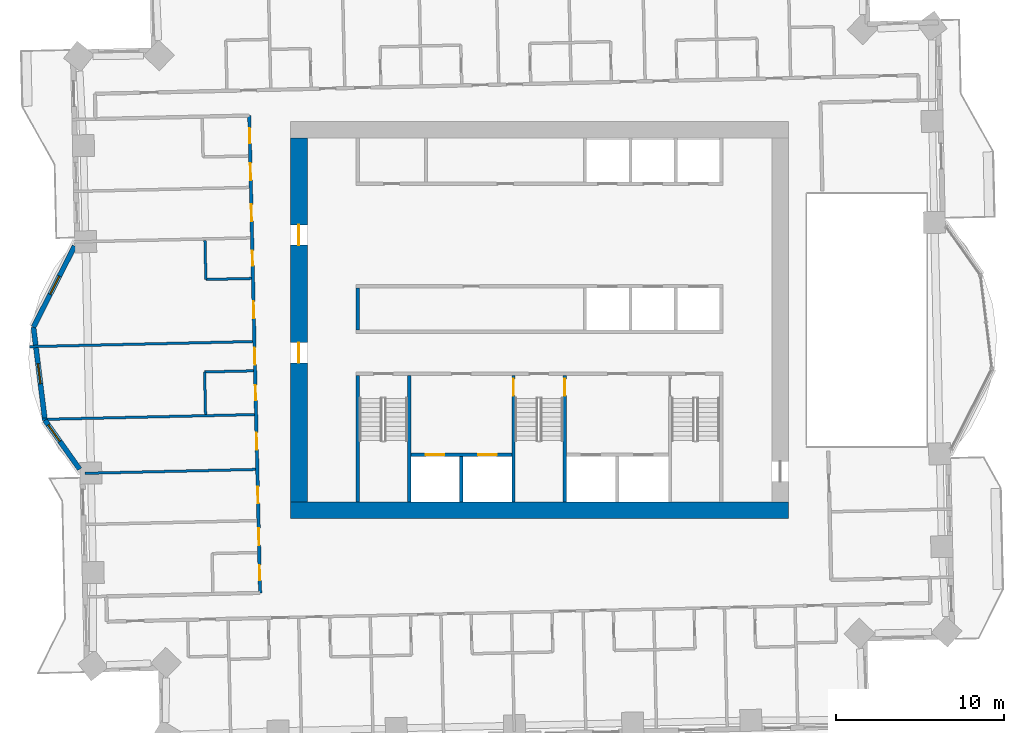
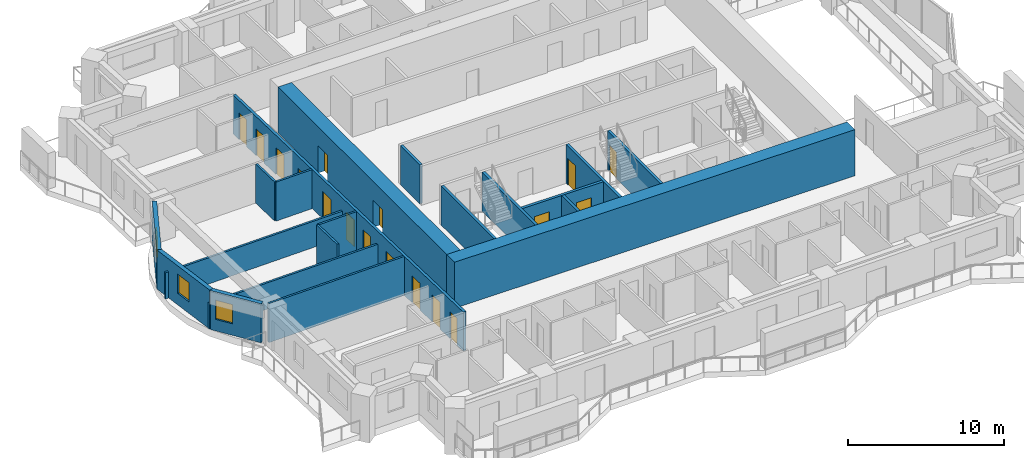
# One storey, part 7 of 16: 20 walls, 17 doors, 3 windows, 20 openings.
"""IFC4 building model written with IfcOpenShell, lengths in metres."""

from ifc_helpers import new_model, si_unit, direction, frame, frame_2d, origin, place, context, subcontext, project, spatial, rectangle, extrude, material, layer, layer_set, type_object, element, fill, save


model = new_model("IFC4")

# Units and contexts
model_context = context("Model", 3, precision=1e-05, world=origin(), true_north=direction((0.0, 1.0)))
body_context = subcontext(model_context, "Body", "Model", "MODEL_VIEW")
ifc_project = project(units=[si_unit("LENGTHUNIT", "METRE"), si_unit("AREAUNIT", "SQUARE_METRE"), si_unit("VOLUMEUNIT", "CUBIC_METRE"), si_unit("PLANEANGLEUNIT", "RADIAN"), si_unit("MASSUNIT", "GRAM", prefix="KILO")], contexts=[model_context])

# Site, building, storey
site_placement = place(None, origin())
site = spatial("IfcSite", under=ifc_project, at=site_placement, CompositionType="ELEMENT")
building_placement = place(site_placement, origin())
building = spatial("IfcBuilding", under=site, at=building_placement, Name="Mangrove Gate Tower", CompositionType="ELEMENT")
storey_placement = place(building_placement, frame((0.0, 0.0, 130.10009765625)))
storey = spatial("IfcBuildingStorey", under=building, at=storey_placement, Name="L32", CompositionType="ELEMENT", Elevation=130.10009765625)

# Wall
ifc_material_1 = material(Name="Concrete C32/40", Category="concrete")
ifc_layer_1 = layer(ifc_material_1, 0.199951171875)
ifc_layer_set_1 = layer_set([ifc_layer_1], Name="Core room wall 200 C32/40")
wall_type_1 = type_object("IfcWallType", Name="Core room wall 200 C32/40", PredefinedType="STANDARD", material=ifc_layer_set_1)
wall_1_placement = place(storey_placement, frame((-10.800048828125, -0.60009765625, 0.0), z_axis=(0.0, 0.0, 1.0), x_axis=(0.0, 1.0, 0.0)))
element("IfcWall", 1, at=wall_1_placement, inside=storey, type_object=wall_type_1, Name="WALL-L32-CORE-19", PredefinedType="STANDARD", context=body_context, shape_type="SweptSolid", body=[
    extrude(rectangle(XDim=2.5, YDim=0.199951171875, at=frame_2d((1.25, 0.0))), origin(), (0.0, 0.0, 1.0), 3.0498046875),
])

# Wall, openings, doors
ifc_material_2 = material(Name="Concrete C70/85", Category="concrete")
ifc_layer_2 = layer(ifc_material_2, 0.199951171875)
ifc_layer_set_2 = layer_set([ifc_layer_2], Name="Core shaft wall 200 C70/85")
wall_type_2 = type_object("IfcWallType", Name="Core shaft wall 200 C70/85", PredefinedType="SHEAR", material=ifc_layer_set_2)
wall_2_placement = place(storey_placement, frame((-7.64990234375, -8.0, 0.0), z_axis=(0.0, 0.0, 1.0), x_axis=(1.0, 0.0, 0.0)))
wall_2 = element("IfcWall", 2, at=wall_2_placement, inside=storey, type_object=wall_type_2, Name="WALL-L32-CORE-15", PredefinedType="SHEAR", context=body_context, shape_type="SweptSolid", body=[
    extrude(rectangle(XDim=6.0, YDim=0.199951171875, at=frame_2d((3.0, 0.0))), origin(), (0.0, 0.0, 1.0), 3.0498046875),
])
opening_1_placement = place(wall_2_placement, frame((0.89990234375, 0.0, 0.0)))
opening_1 = element("IfcOpeningElement", 3, at=opening_1_placement, cuts=wall_2, Name="Opening LD", PredefinedType="OPENING", context=body_context, shape_type="SweptSolid", body=[
    extrude(rectangle(XDim=1.10009765625, YDim=2.10009765625, at=frame_2d((0.550048828125, 1.050048828125))), frame((0.0, 0.10986328125, 0.0), z_axis=(0.0, -1.0, 0.0), x_axis=(1.0, 0.0, 0.0)), (0.0, 0.0, 1.0), 0.219970703125),
])
opening_2_placement = place(wall_2_placement, frame((4.0, 0.0, 0.0)))
opening_2 = element("IfcOpeningElement", 4, at=opening_2_placement, cuts=wall_2, Name="Opening LD", PredefinedType="OPENING", context=body_context, shape_type="SweptSolid", body=[
    extrude(rectangle(XDim=1.10009765625, YDim=2.10009765625, at=frame_2d((0.550048828125, 1.050048828125))), frame((0.0, 0.10986328125, 0.0), z_axis=(0.0, -1.0, 0.0), x_axis=(1.0, 0.0, 0.0)), (0.0, 0.0, 1.0), 0.219970703125),
])
ifc_material_3 = material(Name="Stainless steel 316", Category="steel")
door_type_1 = type_object("IfcDoorType", Name="Lift landing door 1100x2100", OperationType="SLIDING_TO_LEFT", PredefinedType="DOOR", material=ifc_material_3)
door_1_placement = place(opening_1_placement, origin())
door_1 = element("IfcDoor", 5, at=door_1_placement, inside=storey, type_object=door_type_1, Name="Landing door LD SVL1", OperationType="SLIDING_TO_LEFT", OverallHeight=2.10009765625, OverallWidth=1.10009765625, PredefinedType="DOOR", context=body_context, shape_type="SweptSolid", body=[
    extrude(rectangle(XDim=1.10009765625, YDim=2.10009765625, at=frame_2d((0.550048828125, 1.050048828125))), frame((0.0, 0.02490234375, 0.0), z_axis=(0.0, -1.0, 0.0), x_axis=(1.0, 0.0, 0.0)), (0.0, 0.0, 1.0), 0.050048828125),
])
fill(opening_1, door_1)
door_2_placement = place(opening_2_placement, origin())
door_2 = element("IfcDoor", 6, at=door_2_placement, inside=storey, type_object=door_type_1, Name="Landing door LD SVL2", OperationType="SLIDING_TO_LEFT", OverallHeight=2.10009765625, OverallWidth=1.10009765625, PredefinedType="DOOR", context=body_context, shape_type="SweptSolid", body=[
    extrude(rectangle(XDim=1.10009765625, YDim=2.10009765625, at=frame_2d((0.550048828125, 1.050048828125))), frame((0.0, 0.02490234375, 0.0), z_axis=(0.0, -1.0, 0.0), x_axis=(1.0, 0.0, 0.0)), (0.0, 0.0, 1.0), 0.050048828125),
])
fill(opening_2, door_2)

# Walls
wall_3_placement = place(storey_placement, frame((-4.64990234375, -10.800048828125, 0.0), z_axis=(0.0, 0.0, 1.0), x_axis=(0.0, 1.0, 0.0)))
element("IfcWall", 7, at=wall_3_placement, inside=storey, type_object=wall_type_2, Name="WALL-L32-CORE-16", PredefinedType="SHEAR", context=body_context, shape_type="SweptSolid", body=[
    extrude(rectangle(XDim=2.699951171875, YDim=0.199951171875, at=frame_2d((1.35009765625, 0.0))), origin(), (0.0, 0.0, 1.0), 3.0498046875),
])
ifc_material_4 = material(Name="Concrete C70/85", Category="concrete")
ifc_layer_3 = layer(ifc_material_4, 0.199951171875)
ifc_layer_set_3 = layer_set([ifc_layer_3], Name="Core stair wall 200 C70/85")
wall_type_3 = type_object("IfcWallType", Name="Core stair wall 200 C70/85", PredefinedType="SHEAR", material=ifc_layer_set_3)
for number, where, z_axis, x_axis, name in (
    (8, (-10.800048828125, -10.800048828125, 0.0), (0.0, 0.0, 1.0), (0.0, 1.0, 0.0), "WALL-L32-CORE-9"),
    (9, (-7.75, -10.800048828125, 0.0), (0.0, 0.0, 1.0), (0.0, 1.0, 0.0), "WALL-L32-CORE-10"),
):
    element("IfcWall", number, at=place(storey_placement, frame(where, z_axis=z_axis, x_axis=x_axis)), inside=storey, type_object=wall_type_3, Name=name, PredefinedType="SHEAR", context=body_context, shape_type="SweptSolid", body=[
        extrude(rectangle(XDim=7.5, YDim=0.199951171875, at=frame_2d((3.75, 0.0))), origin(), (0.0, 0.0, 1.0), 3.0498046875),
    ])

# Wall, opening, door
wall_4_placement = place(storey_placement, frame((-1.550048828125, -10.800048828125, 0.0), z_axis=(0.0, 0.0, 1.0), x_axis=(0.0, 1.0, 0.0)))
wall_4 = element("IfcWall", 10, at=wall_4_placement, inside=storey, type_object=wall_type_3, Name="WALL-L32-CORE-11", PredefinedType="SHEAR", context=body_context, shape_type="SweptSolid", body=[
    extrude(rectangle(XDim=7.5, YDim=0.199951171875, at=frame_2d((3.75, 0.0))), origin(), (0.0, 0.0, 1.0), 3.0498046875),
])
opening_3_placement = place(wall_4_placement, frame((6.300048828125, 0.0, 0.0)))
opening_3 = element("IfcOpeningElement", 11, at=opening_3_placement, cuts=wall_4, Name="Opening STD10", PredefinedType="OPENING", context=body_context, shape_type="SweptSolid", body=[
    extrude(rectangle(XDim=1.0, YDim=2.10009765625, at=frame_2d((0.5, 1.050048828125))), frame((0.0, 0.10986328125, 0.0), z_axis=(0.0, -1.0, 0.0), x_axis=(1.0, 0.0, 0.0)), (0.0, 0.0, 1.0), 0.219970703125),
])
ifc_material_5 = material(Name="Fire-rated steel door set", Category="steel")
door_type_2 = type_object("IfcDoorType", Name="Stair door FD60 1000x2100", OperationType="SINGLE_SWING_RIGHT", PredefinedType="DOOR", material=ifc_material_5)
door_3_placement = place(opening_3_placement, origin())
door_3 = element("IfcDoor", 12, at=door_3_placement, inside=storey, type_object=door_type_2, Name="Stair door Stair 2 from service lobby", OperationType="SINGLE_SWING_RIGHT", OverallHeight=2.10009765625, OverallWidth=1.0, PredefinedType="DOOR", context=body_context, shape_type="SweptSolid", body=[
    extrude(rectangle(XDim=1.0, YDim=2.10009765625, at=frame_2d((0.5, 1.050048828125))), frame((0.0, 0.02490234375, 0.0), z_axis=(0.0, -1.0, 0.0), x_axis=(1.0, 0.0, 0.0)), (0.0, 0.0, 1.0), 0.050048828125),
])
fill(opening_3, door_3)

wall_5_placement = place(storey_placement, frame((1.5, -10.800048828125, 0.0), z_axis=(0.0, 0.0, 1.0), x_axis=(0.0, 1.0, 0.0)))
wall_5 = element("IfcWall", 13, at=wall_5_placement, inside=storey, type_object=wall_type_3, Name="WALL-L32-CORE-12", PredefinedType="SHEAR", context=body_context, shape_type="SweptSolid", body=[
    extrude(rectangle(XDim=7.5, YDim=0.199951171875, at=frame_2d((3.75, 0.0))), origin(), (0.0, 0.0, 1.0), 3.0498046875),
])
opening_4_placement = place(wall_5_placement, frame((6.300048828125, 0.0, 0.0)))
opening_4 = element("IfcOpeningElement", 14, at=opening_4_placement, cuts=wall_5, Name="Opening STD10", PredefinedType="OPENING", context=body_context, shape_type="SweptSolid", body=[
    extrude(rectangle(XDim=1.0, YDim=2.10009765625, at=frame_2d((0.5, 1.050048828125))), frame((0.0, 0.10986328125, 0.0), z_axis=(0.0, -1.0, 0.0), x_axis=(1.0, 0.0, 0.0)), (0.0, 0.0, 1.0), 0.219970703125),
])
door_4_placement = place(opening_4_placement, origin())
door_4 = element("IfcDoor", 15, at=door_4_placement, inside=storey, type_object=door_type_2, Name="Stair door Stair 2 from fire-fighting lobby", OperationType="SINGLE_SWING_RIGHT", OverallHeight=2.10009765625, OverallWidth=1.0, PredefinedType="DOOR", context=body_context, shape_type="SweptSolid", body=[
    extrude(rectangle(XDim=1.0, YDim=2.10009765625, at=frame_2d((0.5, 1.050048828125))), frame((0.0, 0.02490234375, 0.0), z_axis=(0.0, -1.0, 0.0), x_axis=(1.0, 0.0, 0.0)), (0.0, 0.0, 1.0), 0.050048828125),
])
fill(opening_4, door_4)

# Wall
ifc_material_6 = material(Name="Concrete C70/85", Category="concrete")
ifc_layer_4 = layer(ifc_material_6, 1.0)
ifc_layer_set_4 = layer_set([ifc_layer_4], Name="Core wall 1000 C70/85")
wall_type_4 = type_object("IfcWallType", Name="Core wall 1000 C70/85", PredefinedType="SHEAR", material=ifc_layer_set_4)
wall_6_placement = place(storey_placement, frame((-14.800048828125, -11.300048828125, 0.0), z_axis=(0.0, 0.0, 1.0), x_axis=(1.0, 0.0, 0.0)))
element("IfcWall", 16, at=wall_6_placement, inside=storey, type_object=wall_type_4, Name="WALL-L32-CORE-1", PredefinedType="SHEAR", context=body_context, shape_type="SweptSolid", body=[
    extrude(rectangle(XDim=29.60009765625, YDim=1.0, at=frame_2d((14.800048828125, 0.0))), origin(), (0.0, 0.0, 1.0), 3.599853515625),
])

# Wall, openings, doors
wall_7_placement = place(storey_placement, frame((-14.300048828125, -10.800048828125, 0.0), z_axis=(0.0, 0.0, 1.0), x_axis=(0.0, 1.0, 0.0)))
wall_7 = element("IfcWall", 17, at=wall_7_placement, inside=storey, type_object=wall_type_4, Name="WALL-L32-CORE-3", PredefinedType="SHEAR", context=body_context, shape_type="SweptSolid", body=[
    extrude(rectangle(XDim=21.60009765625, YDim=1.0, at=frame_2d((10.800048828125, 0.0))), origin(), (0.0, 0.0, 1.0), 3.599853515625),
])
opening_5_placement = place(wall_7_placement, frame((8.25, 0.0, 0.0)))
opening_5 = element("IfcOpeningElement", 18, at=opening_5_placement, cuts=wall_7, Name="Opening CD", PredefinedType="OPENING", context=body_context, shape_type="SweptSolid", body=[
    extrude(rectangle(XDim=1.199951171875, YDim=2.10009765625, at=frame_2d((0.60009765625, 1.050048828125))), frame((0.0, 0.510009765625, 0.0), z_axis=(0.0, -1.0, 0.0), x_axis=(1.0, 0.0, 0.0)), (0.0, 0.0, 1.0), 1.02001953125),
])
opening_6_placement = place(wall_7_placement, frame((15.25, 0.0, 0.0)))
opening_6 = element("IfcOpeningElement", 19, at=opening_6_placement, cuts=wall_7, Name="Opening CD", PredefinedType="OPENING", context=body_context, shape_type="SweptSolid", body=[
    extrude(rectangle(XDim=1.199951171875, YDim=2.10009765625, at=frame_2d((0.60009765625, 1.050048828125))), frame((0.0, 0.510009765625, 0.0), z_axis=(0.0, -1.0, 0.0), x_axis=(1.0, 0.0, 0.0)), (0.0, 0.0, 1.0), 1.02001953125),
])
ifc_material_7 = material(Name="Fire-rated steel door set", Category="steel")
door_type_3 = type_object("IfcDoorType", Name="Core ring door FD60 1200x2100", OperationType="DOUBLE_DOOR_SINGLE_SWING", PredefinedType="DOOR", material=ifc_material_7)
door_5_placement = place(opening_5_placement, origin())
door_5 = element("IfcDoor", 20, at=door_5_placement, inside=storey, type_object=door_type_3, Name="Core ring door W1", OperationType="DOUBLE_DOOR_SINGLE_SWING", OverallHeight=2.10009765625, OverallWidth=1.199951171875, PredefinedType="DOOR", context=body_context, shape_type="SweptSolid", body=[
    extrude(rectangle(XDim=1.199951171875, YDim=2.10009765625, at=frame_2d((0.60009765625, 1.050048828125))), frame((0.0, 0.02490234375, 0.0), z_axis=(0.0, -1.0, 0.0), x_axis=(1.0, 0.0, 0.0)), (0.0, 0.0, 1.0), 0.050048828125),
])
fill(opening_5, door_5)
door_6_placement = place(opening_6_placement, origin())
door_6 = element("IfcDoor", 21, at=door_6_placement, inside=storey, type_object=door_type_3, Name="Core ring door W2", OperationType="DOUBLE_DOOR_SINGLE_SWING", OverallHeight=2.10009765625, OverallWidth=1.199951171875, PredefinedType="DOOR", context=body_context, shape_type="SweptSolid", body=[
    extrude(rectangle(XDim=1.199951171875, YDim=2.10009765625, at=frame_2d((0.60009765625, 1.050048828125))), frame((0.0, 0.02490234375, 0.0), z_axis=(0.0, -1.0, 0.0), x_axis=(1.0, 0.0, 0.0)), (0.0, 0.0, 1.0), 0.050048828125),
])
fill(opening_6, door_6)

ifc_material_8 = material(Name="Gypsum board on steel stud, EI 60", Category="steel")
ifc_layer_5 = layer(ifc_material_8, 0.199951171875)
ifc_layer_set_5 = layer_set([ifc_layer_5], Name="Corridor wall EI 60")
wall_type_5 = type_object("IfcWallType", Name="Corridor wall EI 60", PredefinedType="PARTITIONING", material=ifc_layer_set_5)
wall_8_placement = place(storey_placement, frame((-16.60302734375, -16.218017578125, 0.0), z_axis=(0.0, 0.0, 1.0), x_axis=(-0.022698146637, 0.999742363881, 0.0)))
wall_8 = element("IfcWall", 22, at=wall_8_placement, inside=storey, type_object=wall_type_5, Name="WALL-L32-033", PredefinedType="PARTITIONING", context=body_context, shape_type="SweptSolid", body=[
    extrude(rectangle(XDim=28.374267578125, YDim=0.199951171875, at=frame_2d((14.18701171875, 0.0))), origin(), (0.0, 0.0, 1.0), 3.0498046875),
])
opening_7_placement = place(wall_8_placement, frame((24.537109375, 0.0, 0.0)))
opening_7 = element("IfcOpeningElement", 23, at=opening_7_placement, cuts=wall_8, Name="Opening AD", PredefinedType="OPENING", context=body_context, shape_type="SweptSolid", body=[
    extrude(rectangle(XDim=1.0, YDim=2.10009765625, at=frame_2d((0.5, 1.050048828125))), frame((0.0, 0.10986328125, 0.0), z_axis=(0.0, -1.0, 0.0), x_axis=(1.0, 0.0, 0.0)), (0.0, 0.0, 1.0), 0.219970703125),
])
opening_8_placement = place(wall_8_placement, frame((26.72412109375, 0.0, 0.0)))
opening_8 = element("IfcOpeningElement", 24, at=opening_8_placement, cuts=wall_8, Name="Opening SD", PredefinedType="OPENING", context=body_context, shape_type="SweptSolid", body=[
    extrude(rectangle(XDim=0.89990234375, YDim=2.10009765625, at=frame_2d((0.449951171875, 1.050048828125))), frame((0.0, 0.10986328125, 0.0), z_axis=(0.0, -1.0, 0.0), x_axis=(1.0, 0.0, 0.0)), (0.0, 0.0, 1.0), 0.219970703125),
])
opening_9_placement = place(wall_8_placement, frame((22.09912109375, 0.0, 0.0)))
opening_9 = element("IfcOpeningElement", 25, at=opening_9_placement, cuts=wall_8, Name="Opening AD", PredefinedType="OPENING", context=body_context, shape_type="SweptSolid", body=[
    extrude(rectangle(XDim=1.0, YDim=2.10009765625, at=frame_2d((0.5, 1.050048828125))), frame((0.0, 0.10986328125, 0.0), z_axis=(0.0, -1.0, 0.0), x_axis=(1.0, 0.0, 0.0)), (0.0, 0.0, 1.0), 0.219970703125),
])
opening_10_placement = place(wall_8_placement, frame((16.323974609375, 0.0, 0.0)))
opening_10 = element("IfcOpeningElement", 26, at=opening_10_placement, cuts=wall_8, Name="Opening AD", PredefinedType="OPENING", context=body_context, shape_type="SweptSolid", body=[
    extrude(rectangle(XDim=1.0, YDim=2.10009765625, at=frame_2d((0.5, 1.050048828125))), frame((0.0, 0.10986328125, 0.0), z_axis=(0.0, -1.0, 0.0), x_axis=(1.0, 0.0, 0.0)), (0.0, 0.0, 1.0), 0.219970703125),
])
opening_11_placement = place(wall_8_placement, frame((19.448974609375, 0.0, 0.0)))
opening_11 = element("IfcOpeningElement", 27, at=opening_11_placement, cuts=wall_8, Name="Opening SD", PredefinedType="OPENING", context=body_context, shape_type="SweptSolid", body=[
    extrude(rectangle(XDim=0.89990234375, YDim=2.10009765625, at=frame_2d((0.449951171875, 1.050048828125))), frame((0.0, 0.10986328125, 0.0), z_axis=(0.0, -1.0, 0.0), x_axis=(1.0, 0.0, 0.0)), (0.0, 0.0, 1.0), 0.219970703125),
])
opening_12_placement = place(wall_8_placement, frame((13.573974609375, 0.0, 0.0)))
opening_12 = element("IfcOpeningElement", 28, at=opening_12_placement, cuts=wall_8, Name="Opening AD", PredefinedType="OPENING", context=body_context, shape_type="SweptSolid", body=[
    extrude(rectangle(XDim=1.0, YDim=2.10009765625, at=frame_2d((0.5, 1.050048828125))), frame((0.0, 0.10986328125, 0.0), z_axis=(0.0, -1.0, 0.0), x_axis=(1.0, 0.0, 0.0)), (0.0, 0.0, 1.0), 0.219970703125),
])
opening_13_placement = place(wall_8_placement, frame((11.448974609375, 0.0, 0.0)))
opening_13 = element("IfcOpeningElement", 29, at=opening_13_placement, cuts=wall_8, Name="Opening SD", PredefinedType="OPENING", context=body_context, shape_type="SweptSolid", body=[
    extrude(rectangle(XDim=0.89990234375, YDim=2.10009765625, at=frame_2d((0.449951171875, 1.050048828125))), frame((0.0, 0.10986328125, 0.0), z_axis=(0.0, -1.0, 0.0), x_axis=(1.0, 0.0, 0.0)), (0.0, 0.0, 1.0), 0.219970703125),
])
opening_14_placement = place(wall_8_placement, frame((8.52392578125, 0.0, 0.0)))
opening_14 = element("IfcOpeningElement", 30, at=opening_14_placement, cuts=wall_8, Name="Opening AD", PredefinedType="OPENING", context=body_context, shape_type="SweptSolid", body=[
    extrude(rectangle(XDim=1.0, YDim=2.10009765625, at=frame_2d((0.5, 1.050048828125))), frame((0.0, 0.10986328125, 0.0), z_axis=(0.0, -1.0, 0.0), x_axis=(1.0, 0.0, 0.0)), (0.0, 0.0, 1.0), 0.219970703125),
])
opening_15_placement = place(wall_8_placement, frame((5.324951171875, 0.0, 0.0)))
opening_15 = element("IfcOpeningElement", 31, at=opening_15_placement, cuts=wall_8, Name="Opening AD", PredefinedType="OPENING", context=body_context, shape_type="SweptSolid", body=[
    extrude(rectangle(XDim=1.0, YDim=2.10009765625, at=frame_2d((0.5, 1.050048828125))), frame((0.0, 0.10986328125, 0.0), z_axis=(0.0, -1.0, 0.0), x_axis=(1.0, 0.0, 0.0)), (0.0, 0.0, 1.0), 0.219970703125),
])
opening_16_placement = place(wall_8_placement, frame((2.85009765625, 0.0, 0.0)))
opening_16 = element("IfcOpeningElement", 32, at=opening_16_placement, cuts=wall_8, Name="Opening AD", PredefinedType="OPENING", context=body_context, shape_type="SweptSolid", body=[
    extrude(rectangle(XDim=1.0, YDim=2.10009765625, at=frame_2d((0.5, 1.050048828125))), frame((0.0, 0.10986328125, 0.0), z_axis=(0.0, -1.0, 0.0), x_axis=(1.0, 0.0, 0.0)), (0.0, 0.0, 1.0), 0.219970703125),
])
opening_17_placement = place(wall_8_placement, frame((0.75, 0.0, 0.0)))
opening_17 = element("IfcOpeningElement", 33, at=opening_17_placement, cuts=wall_8, Name="Opening SD", PredefinedType="OPENING", context=body_context, shape_type="SweptSolid", body=[
    extrude(rectangle(XDim=0.89990234375, YDim=2.10009765625, at=frame_2d((0.449951171875, 1.050048828125))), frame((0.0, 0.10986328125, 0.0), z_axis=(0.0, -1.0, 0.0), x_axis=(1.0, 0.0, 0.0)), (0.0, 0.0, 1.0), 0.219970703125),
])
ifc_material_9 = material(Name="Timber door leaf", Category="wood")
door_type_4 = type_object("IfcDoorType", Name="Amenity door 1000", OperationType="SINGLE_SWING_LEFT", PredefinedType="DOOR", material=ifc_material_9)
door_7_placement = place(opening_7_placement, origin())
door_7 = element("IfcDoor", 34, at=door_7_placement, inside=storey, type_object=door_type_4, Name="DOOR-L32-GAM-c5a", OperationType="SINGLE_SWING_RIGHT", OverallHeight=2.10009765625, OverallWidth=1.0, PredefinedType="DOOR", context=body_context, shape_type="SweptSolid", body=[
    extrude(rectangle(XDim=1.0, YDim=2.10009765625, at=frame_2d((0.5, 1.050048828125))), frame((0.0, 0.02490234375, 0.0), z_axis=(0.0, -1.0, 0.0), x_axis=(1.0, 0.0, 0.0)), (0.0, 0.0, 1.0), 0.050048828125),
])
fill(opening_7, door_7)
door_8_placement = place(opening_9_placement, origin())
door_8 = element("IfcDoor", 35, at=door_8_placement, inside=storey, type_object=door_type_4, Name="DOOR-L32-STU-c5a", OperationType="SINGLE_SWING_LEFT", OverallHeight=2.10009765625, OverallWidth=1.0, PredefinedType="DOOR", context=body_context, shape_type="SweptSolid", body=[
    extrude(rectangle(XDim=1.0, YDim=2.10009765625, at=frame_2d((0.5, 1.050048828125))), frame((0.0, 0.02490234375, 0.0), z_axis=(0.0, -1.0, 0.0), x_axis=(1.0, 0.0, 0.0)), (0.0, 0.0, 1.0), 0.050048828125),
])
fill(opening_9, door_8)
door_9_placement = place(opening_10_placement, origin())
door_9 = element("IfcDoor", 36, at=door_9_placement, inside=storey, type_object=door_type_4, Name="DOOR-L32-LNG-c5b", OperationType="SINGLE_SWING_RIGHT", OverallHeight=2.10009765625, OverallWidth=1.0, PredefinedType="DOOR", context=body_context, shape_type="SweptSolid", body=[
    extrude(rectangle(XDim=1.0, YDim=2.10009765625, at=frame_2d((0.5, 1.050048828125))), frame((0.0, 0.02490234375, 0.0), z_axis=(0.0, -1.0, 0.0), x_axis=(1.0, 0.0, 0.0)), (0.0, 0.0, 1.0), 0.050048828125),
])
fill(opening_10, door_9)
door_10_placement = place(opening_12_placement, origin())
door_10 = element("IfcDoor", 37, at=door_10_placement, inside=storey, type_object=door_type_4, Name="DOOR-L32-STU-c5b", OperationType="SINGLE_SWING_LEFT", OverallHeight=2.10009765625, OverallWidth=1.0, PredefinedType="DOOR", context=body_context, shape_type="SweptSolid", body=[
    extrude(rectangle(XDim=1.0, YDim=2.10009765625, at=frame_2d((0.5, 1.050048828125))), frame((0.0, 0.02490234375, 0.0), z_axis=(0.0, -1.0, 0.0), x_axis=(1.0, 0.0, 0.0)), (0.0, 0.0, 1.0), 0.050048828125),
])
fill(opening_12, door_10)
door_11_placement = place(opening_14_placement, origin())
door_11 = element("IfcDoor", 38, at=door_11_placement, inside=storey, type_object=door_type_4, Name="DOOR-L32-STU-c5c", OperationType="SINGLE_SWING_RIGHT", OverallHeight=2.10009765625, OverallWidth=1.0, PredefinedType="DOOR", context=body_context, shape_type="SweptSolid", body=[
    extrude(rectangle(XDim=1.0, YDim=2.10009765625, at=frame_2d((0.5, 1.050048828125))), frame((0.0, 0.02490234375, 0.0), z_axis=(0.0, -1.0, 0.0), x_axis=(1.0, 0.0, 0.0)), (0.0, 0.0, 1.0), 0.050048828125),
])
fill(opening_14, door_11)
door_12_placement = place(opening_15_placement, origin())
door_12 = element("IfcDoor", 39, at=door_12_placement, inside=storey, type_object=door_type_4, Name="DOOR-L32-STU-c5d", OperationType="SINGLE_SWING_LEFT", OverallHeight=2.10009765625, OverallWidth=1.0, PredefinedType="DOOR", context=body_context, shape_type="SweptSolid", body=[
    extrude(rectangle(XDim=1.0, YDim=2.10009765625, at=frame_2d((0.5, 1.050048828125))), frame((0.0, 0.02490234375, 0.0), z_axis=(0.0, -1.0, 0.0), x_axis=(1.0, 0.0, 0.0)), (0.0, 0.0, 1.0), 0.050048828125),
])
fill(opening_15, door_12)
door_13_placement = place(opening_16_placement, origin())
door_13 = element("IfcDoor", 40, at=door_13_placement, inside=storey, type_object=door_type_4, Name="DOOR-L32-KIT-c5a", OperationType="SINGLE_SWING_RIGHT", OverallHeight=2.10009765625, OverallWidth=1.0, PredefinedType="DOOR", context=body_context, shape_type="SweptSolid", body=[
    extrude(rectangle(XDim=1.0, YDim=2.10009765625, at=frame_2d((0.5, 1.050048828125))), frame((0.0, 0.02490234375, 0.0), z_axis=(0.0, -1.0, 0.0), x_axis=(1.0, 0.0, 0.0)), (0.0, 0.0, 1.0), 0.050048828125),
])
fill(opening_16, door_13)
ifc_material_10 = material(Name="Timber door leaf", Category="wood")
door_type_5 = type_object("IfcDoorType", Name="Service room door 900", OperationType="SINGLE_SWING_LEFT", PredefinedType="DOOR", material=ifc_material_10)
door_14_placement = place(opening_8_placement, origin())
door_14 = element("IfcDoor", 41, at=door_14_placement, inside=storey, type_object=door_type_5, Name="DOOR-L32-WC-c5a", OperationType="SINGLE_SWING_LEFT", OverallHeight=2.10009765625, OverallWidth=0.89990234375, PredefinedType="DOOR", context=body_context, shape_type="SweptSolid", body=[
    extrude(rectangle(XDim=0.89990234375, YDim=2.10009765625, at=frame_2d((0.449951171875, 1.050048828125))), frame((0.0, 0.02490234375, 0.0), z_axis=(0.0, -1.0, 0.0), x_axis=(1.0, 0.0, 0.0)), (0.0, 0.0, 1.0), 0.050048828125),
])
fill(opening_8, door_14)
door_15_placement = place(opening_11_placement, origin())
door_15 = element("IfcDoor", 42, at=door_15_placement, inside=storey, type_object=door_type_5, Name="DOOR-L32-WC-c5b", OperationType="SINGLE_SWING_RIGHT", OverallHeight=2.10009765625, OverallWidth=0.89990234375, PredefinedType="DOOR", context=body_context, shape_type="SweptSolid", body=[
    extrude(rectangle(XDim=0.89990234375, YDim=2.10009765625, at=frame_2d((0.449951171875, 1.050048828125))), frame((0.0, 0.02490234375, 0.0), z_axis=(0.0, -1.0, 0.0), x_axis=(1.0, 0.0, 0.0)), (0.0, 0.0, 1.0), 0.050048828125),
])
fill(opening_11, door_15)
door_16_placement = place(opening_13_placement, origin())
door_16 = element("IfcDoor", 43, at=door_16_placement, inside=storey, type_object=door_type_5, Name="DOOR-L32-AWC-c5b", OperationType="SINGLE_SWING_LEFT", OverallHeight=2.10009765625, OverallWidth=0.89990234375, PredefinedType="DOOR", context=body_context, shape_type="SweptSolid", body=[
    extrude(rectangle(XDim=0.89990234375, YDim=2.10009765625, at=frame_2d((0.449951171875, 1.050048828125))), frame((0.0, 0.02490234375, 0.0), z_axis=(0.0, -1.0, 0.0), x_axis=(1.0, 0.0, 0.0)), (0.0, 0.0, 1.0), 0.050048828125),
])
fill(opening_13, door_16)
door_17_placement = place(opening_17_placement, origin())
door_17 = element("IfcDoor", 44, at=door_17_placement, inside=storey, type_object=door_type_5, Name="DOOR-L32-WC-c5c", OperationType="SINGLE_SWING_RIGHT", OverallHeight=2.10009765625, OverallWidth=0.89990234375, PredefinedType="DOOR", context=body_context, shape_type="SweptSolid", body=[
    extrude(rectangle(XDim=0.89990234375, YDim=2.10009765625, at=frame_2d((0.449951171875, 1.050048828125))), frame((0.0, 0.02490234375, 0.0), z_axis=(0.0, -1.0, 0.0), x_axis=(1.0, 0.0, 0.0)), (0.0, 0.0, 1.0), 0.050048828125),
])
fill(opening_17, door_17)

# Wall, opening, window
ifc_material_11 = material(Name="Limestone", Category="masonry")
ifc_layer_6 = layer(ifc_material_11, 0.0400390625, Name="Limestone cladding")
ifc_material_12 = material(Name="Ventilated air gap")
ifc_layer_7 = layer(ifc_material_12, 0.0400390625, Name="Ventilated cavity")
ifc_material_13 = material(Name="Mineral wool insulation")
ifc_layer_8 = layer(ifc_material_13, 0.06005859375, Name="Insulation")
ifc_material_14 = material(Name="Breather membrane")
ifc_layer_9 = layer(ifc_material_14, 0.001953125, Name="Breather membrane")
ifc_material_15 = material(Name="Concrete C20/25 blockwork", Category="masonry")
ifc_layer_10 = layer(ifc_material_15, 0.14990234375, Name="Blockwork backing wall")
ifc_material_16 = material(Name="Gypsum plaster")
ifc_layer_11 = layer(ifc_material_16, 0.008056640625, Name="Internal plaster")
ifc_layer_set_6 = layer_set([ifc_layer_6, ifc_layer_7, ifc_layer_8, ifc_layer_9, ifc_layer_10, ifc_layer_11], Name="External wall 300 limestone cladding")
wall_type_6 = type_object("IfcWallType", Name="External wall 300 limestone cladding", PredefinedType="SOLIDWALL", material=ifc_layer_set_6)
wall_9_placement = place(storey_placement, frame((-27.625, 4.39208984375, 0.0), z_axis=(0.0, 0.0, 1.0), x_axis=(-0.45268572245, -0.891670138947, 0.0)))
wall_9 = element("IfcWall", 45, at=wall_9_placement, inside=storey, type_object=wall_type_6, Name="WALL-L32-W9f1", PredefinedType="SOLIDWALL", context=body_context, shape_type="SweptSolid", body=[
    extrude(rectangle(XDim=5.399169921875, YDim=0.300048828125, at=frame_2d((2.69970703125, 0.0))), origin(), (0.0, 0.0, 1.0), 3.0498046875),
])
opening_18_placement = place(wall_9_placement, frame((2.008056640625, 0.0, 0.89990234375)))
opening_18 = element("IfcOpeningElement", 46, at=opening_18_placement, cuts=wall_9, Name="Opening W1", PredefinedType="OPENING", context=body_context, shape_type="SweptSolid", body=[
    extrude(rectangle(XDim=1.199951171875, YDim=1.5, at=frame_2d((0.60009765625, 0.75))), frame((0.0, 0.159912109375, 0.0), z_axis=(0.0, -1.0, 0.0), x_axis=(1.0, 0.0, 0.0)), (0.0, 0.0, 1.0), 0.320068359375),
])
ifc_material_17 = material(Name="Aluminium frame with double-glazed low-e glass", Category="aluminium")
window_type = type_object("IfcWindowType", Name="Side lite 1200x1500", PartitioningType="SINGLE_PANEL", PredefinedType="WINDOW", material=ifc_material_17)
window_1_placement = place(opening_18_placement, origin())
window_1 = element("IfcWindow", 47, at=window_1_placement, inside=storey, type_object=window_type, Name="WIN-L32-W9f1", OverallHeight=1.5, OverallWidth=1.199951171875, PartitioningType="SINGLE_PANEL", PredefinedType="WINDOW", context=body_context, shape_type="SweptSolid", body=[
    extrude(rectangle(XDim=1.199951171875, YDim=1.5, at=frame_2d((0.60009765625, 0.75))), frame((0.0, 0.030029296875, 0.0), z_axis=(0.0, -1.0, 0.0), x_axis=(1.0, 0.0, 0.0)), (0.0, 0.0, 1.0), 0.06005859375),
])
fill(opening_18, window_1)

wall_10_placement = place(storey_placement, frame((-30.069091796875, -0.422119140625, 0.0), z_axis=(0.0, 0.0, 1.0), x_axis=(0.122206978992, -0.992504636909, 0.0)))
wall_10 = element("IfcWall", 48, at=wall_10_placement, inside=storey, type_object=wall_type_6, Name="WALL-L32-W9f2", PredefinedType="SOLIDWALL", context=body_context, shape_type="SweptSolid", body=[
    extrude(rectangle(XDim=5.57373046875, YDim=0.300048828125, at=frame_2d((2.786865234375, 0.0))), origin(), (0.0, 0.0, 1.0), 3.0498046875),
])
opening_19_placement = place(wall_10_placement, frame((2.18701171875, 0.0, 0.89990234375)))
opening_19 = element("IfcOpeningElement", 49, at=opening_19_placement, cuts=wall_10, Name="Opening W1", PredefinedType="OPENING", context=body_context, shape_type="SweptSolid", body=[
    extrude(rectangle(XDim=1.199951171875, YDim=1.5, at=frame_2d((0.60009765625, 0.75))), frame((0.0, 0.159912109375, 0.0), z_axis=(0.0, -1.0, 0.0), x_axis=(1.0, 0.0, 0.0)), (0.0, 0.0, 1.0), 0.320068359375),
])
window_2_placement = place(opening_19_placement, origin())
window_2 = element("IfcWindow", 50, at=window_2_placement, inside=storey, type_object=window_type, Name="WIN-L32-W9f2", OverallHeight=1.5, OverallWidth=1.199951171875, PartitioningType="SINGLE_PANEL", PredefinedType="WINDOW", context=body_context, shape_type="SweptSolid", body=[
    extrude(rectangle(XDim=1.199951171875, YDim=1.5, at=frame_2d((0.60009765625, 0.75))), frame((0.0, 0.030029296875, 0.0), z_axis=(0.0, -1.0, 0.0), x_axis=(1.0, 0.0, 0.0)), (0.0, 0.0, 1.0), 0.06005859375),
])
fill(opening_19, window_2)

wall_11_placement = place(storey_placement, frame((-29.387939453125, -5.9541015625, 0.0), z_axis=(0.0, 0.0, 1.0), x_axis=(0.578095163598, -0.815969351033, 0.0)))
wall_11 = element("IfcWall", 51, at=wall_11_placement, inside=storey, type_object=wall_type_6, Name="WALL-L32-W9f3", PredefinedType="SOLIDWALL", context=body_context, shape_type="SweptSolid", body=[
    extrude(rectangle(XDim=3.568603515625, YDim=0.300048828125, at=frame_2d((1.7841796875, 0.0))), origin(), (0.0, 0.0, 1.0), 3.0498046875),
])
opening_20_placement = place(wall_11_placement, frame((0.337890625, 0.0, 0.89990234375)))
opening_20 = element("IfcOpeningElement", 52, at=opening_20_placement, cuts=wall_11, Name="Opening W1", PredefinedType="OPENING", context=body_context, shape_type="SweptSolid", body=[
    extrude(rectangle(XDim=1.199951171875, YDim=1.5, at=frame_2d((0.60009765625, 0.75))), frame((0.0, 0.159912109375, 0.0), z_axis=(0.0, -1.0, 0.0), x_axis=(1.0, 0.0, 0.0)), (0.0, 0.0, 1.0), 0.320068359375),
])
window_3_placement = place(opening_20_placement, origin())
window_3 = element("IfcWindow", 53, at=window_3_placement, inside=storey, type_object=window_type, Name="WIN-L32-W9f3", OverallHeight=1.5, OverallWidth=1.199951171875, PartitioningType="SINGLE_PANEL", PredefinedType="WINDOW", context=body_context, shape_type="SweptSolid", body=[
    extrude(rectangle(XDim=1.199951171875, YDim=1.5, at=frame_2d((0.60009765625, 0.75))), frame((0.0, 0.030029296875, 0.0), z_axis=(0.0, -1.0, 0.0), x_axis=(1.0, 0.0, 0.0)), (0.0, 0.0, 1.0), 0.06005859375),
])
fill(opening_20, window_3)

# Walls
ifc_material_18 = material(Name="Gypsum board on steel stud, EI 60", Category="steel")
ifc_layer_12 = layer(ifc_material_18, 0.14990234375)
ifc_layer_set_7 = layer_set([ifc_layer_12], Name="Party wall 150 EI 60")
wall_type_7 = type_object("IfcWallType", Name="Party wall 150 EI 60", PredefinedType="PARTITIONING", material=ifc_layer_set_7)
wall_12_placement = place(storey_placement, frame((-27.010009765625, -9.10791015625, 0.0), z_axis=(0.0, 0.0, 1.0), x_axis=(0.999742841246, 0.022677111331, 0.0)))
element("IfcWall", 54, at=wall_12_placement, inside=storey, type_object=wall_type_7, Name="WALL-L32-042", PredefinedType="PARTITIONING", context=body_context, shape_type="SweptSolid", body=[
    extrude(rectangle(XDim=10.1416015625, YDim=0.14990234375, at=frame_2d((5.07080078125, 0.0))), origin(), (0.0, 0.0, 1.0), 3.0498046875),
])
wall_13_placement = place(storey_placement, frame((-19.844970703125, -5.614990234375, 0.0), z_axis=(0.0, 0.0, 1.0), x_axis=(-0.022629142889, 0.99974392816, 0.0)))
element("IfcWall", 55, at=wall_13_placement, inside=storey, type_object=wall_type_7, Name="WALL-L32-043", PredefinedType="PARTITIONING", context=body_context, shape_type="SweptSolid", body=[
    extrude(rectangle(XDim=2.524658203125, YDim=0.14990234375, at=frame_2d((1.26220703125, 0.0))), origin(), (0.0, 0.0, 1.0), 3.0498046875),
])
wall_14_placement = place(storey_placement, frame((-29.56103515625, -5.905029296875, 0.0), z_axis=(0.0, 0.0, 1.0), x_axis=(0.999742903154, 0.022674381858, 0.0)))
element("IfcWall", 56, at=wall_14_placement, inside=storey, type_object=wall_type_7, Name="WALL-L32-044", PredefinedType="PARTITIONING", context=body_context, shape_type="SweptSolid", body=[
    extrude(rectangle(XDim=12.619140625, YDim=0.14990234375, at=frame_2d((6.3095703125, 0.0))), origin(), (0.0, 0.0, 1.0), 2.0498046875),
])
wall_15_placement = place(storey_placement, frame((-19.903076171875, -3.0859375, 0.0), z_axis=(0.0, 0.0, 1.0), x_axis=(0.999741618182, 0.022730967319, 0.0)))
element("IfcWall", 57, at=wall_15_placement, inside=storey, type_object=wall_type_7, Name="WALL-L32-045", PredefinedType="PARTITIONING", context=body_context, shape_type="SweptSolid", body=[
    extrude(rectangle(XDim=2.89990234375, YDim=0.14990234375, at=frame_2d((1.449951171875, 0.0))), origin(), (0.0, 0.0, 1.0), 3.0498046875),
])
wall_16_placement = place(storey_placement, frame((-30.30810546875, -1.5810546875, 0.0), z_axis=(0.0, 0.0, 1.0), x_axis=(0.999742613892, 0.022687132236, 0.0)))
element("IfcWall", 58, at=wall_16_placement, inside=storey, type_object=wall_type_7, Name="WALL-L32-046", PredefinedType="PARTITIONING", context=body_context, shape_type="SweptSolid", body=[
    extrude(rectangle(XDim=13.2685546875, YDim=0.14990234375, at=frame_2d((6.63427734375, 0.0))), origin(), (0.0, 0.0, 1.0), 2.0498046875),
])
wall_17_placement = place(storey_placement, frame((-19.827880859375, 2.407958984375, 0.0), z_axis=(0.0, 0.0, 1.0), x_axis=(0.99974458177, 0.022600248254, 0.0)))
element("IfcWall", 59, at=wall_17_placement, inside=storey, type_object=wall_type_7, Name="WALL-L32-047", PredefinedType="PARTITIONING", context=body_context, shape_type="SweptSolid", body=[
    extrude(rectangle(XDim=2.70068359375, YDim=0.14990234375, at=frame_2d((1.350341796875, 0.0))), origin(), (0.0, 0.0, 1.0), 3.0498046875),
])
wall_18_placement = place(storey_placement, frame((-19.826904296875, 2.4130859375, 0.0), z_axis=(0.0, 0.0, 1.0), x_axis=(-0.02279059109, 0.999740260747, 0.0)))
element("IfcWall", 60, at=wall_18_placement, inside=storey, type_object=wall_type_7, Name="WALL-L32-048", PredefinedType="PARTITIONING", context=body_context, shape_type="SweptSolid", body=[
    extrude(rectangle(XDim=2.324462890625, YDim=0.14990234375, at=frame_2d((1.162109375, 0.0))), origin(), (0.0, 0.0, 1.0), 3.0498046875),
])

save(model, "model.ifc")
